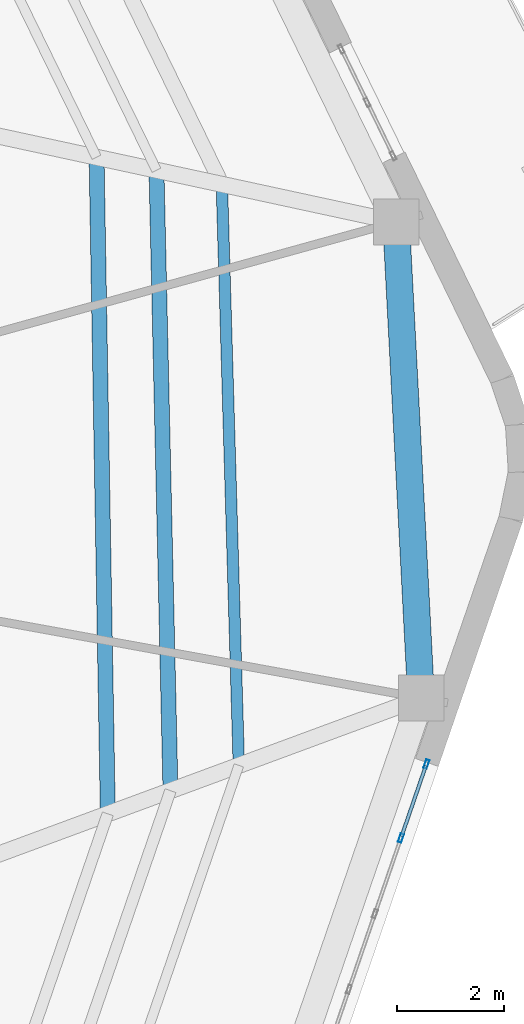
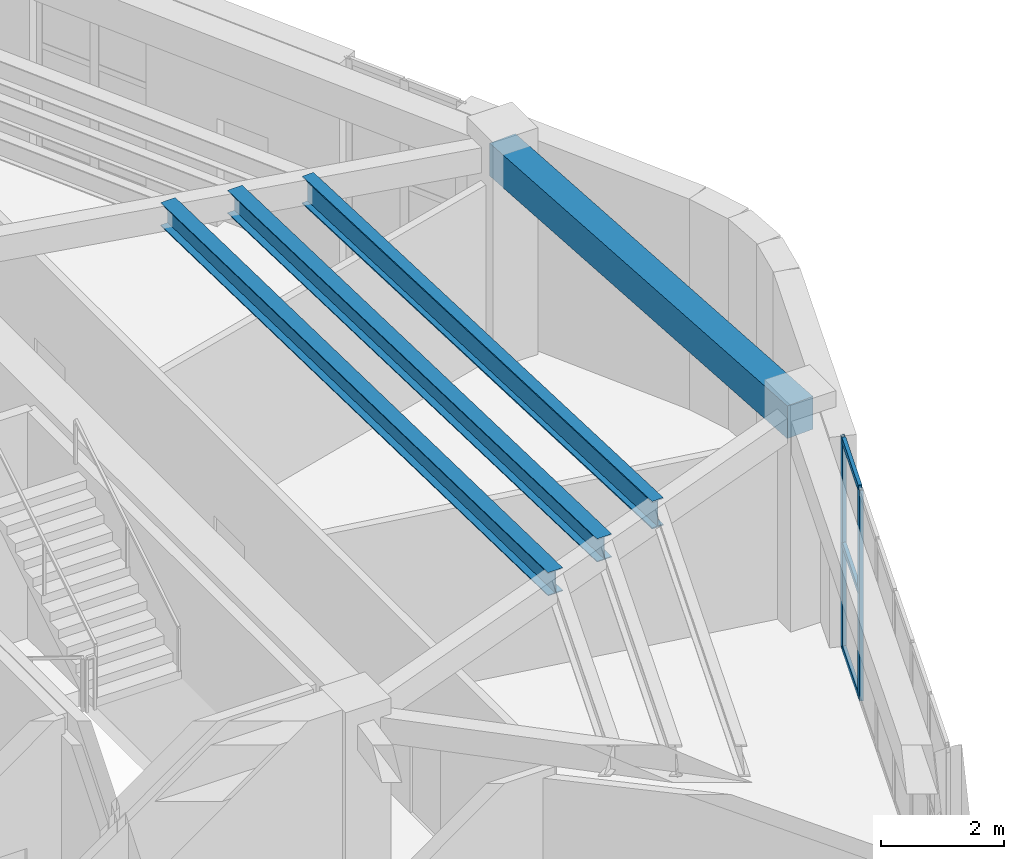
# One storey, part 5 of 15: 5 members, 4 beams, 1 element without a shape of its own.
"""IFC4 building model written with IfcOpenShell, lengths in metres."""

from ifc_helpers import new_model, si_unit, direction, frame, origin, origin_2d, place, context, subcontext, project, spatial, rectangle, hollow_rectangle, i_section, extrude, material, layer, layer_set, material_profile, profile_set, type_object, element, aggregate, save


model = new_model("IFC4")

# Units and contexts
model_context = context("Model", 3, precision=1e-05, world=origin(), true_north=direction((0.0, 1.0)))
body_context = subcontext(model_context, "Body", "Model", "MODEL_VIEW")
ifc_project = project(units=[si_unit("LENGTHUNIT", "METRE"), si_unit("AREAUNIT", "SQUARE_METRE"), si_unit("VOLUMEUNIT", "CUBIC_METRE"), si_unit("PLANEANGLEUNIT", "RADIAN"), si_unit("MASSUNIT", "GRAM", prefix="KILO")], contexts=[model_context])

# Site, building, storey
site_placement = place(None, origin())
site = spatial("IfcSite", under=ifc_project, at=site_placement, CompositionType="ELEMENT")
building_placement = place(site_placement, origin())
building = spatial("IfcBuilding", under=site, at=building_placement, Name="Kilnhurst Terrace Hotel", CompositionType="ELEMENT")
storey_placement = place(building_placement, frame((0.0, 0.0, 288.60009765625)))
storey = spatial("IfcBuildingStorey", under=building, at=storey_placement, Name="L72", CompositionType="ELEMENT", Elevation=288.60009765625)

# Beams
ifc_material_1 = material(Name="Concrete C50/60", Category="concrete")
ifc_material_profile_1 = material_profile(ifc_material_1, rectangle(XDim=0.5, YDim=0.64990234375, at=origin_2d()), Name="RC500X650")
ifc_profile_set_1 = profile_set([ifc_material_profile_1], Name="Concrete C50/60")
beam_type_1 = type_object("IfcBeamType", Name="BM-SPN-500X650", PredefinedType="SPANDREL", material=ifc_profile_set_1)
beam_1_placement = place(storey_placement, frame((19.6240234375, -3.573974609375, 3.85498046875), z_axis=(-0.052419034962, 0.998625177318, 0.0), x_axis=(-0.998625177318, -0.052419034962, 0.0)))
element("IfcBeam", 1, at=beam_1_placement, inside=storey, type_object=beam_type_1, Name="L72 Perimeter Spandrel Beam 4", PredefinedType="SPANDREL", context=body_context, shape_type="SweptSolid", body=[
    extrude(rectangle(XDim=0.5, YDim=0.64990234375, at=origin_2d()), origin(), (0.0, 0.0, 1.0), 8.89111328125),
])
ifc_material_2 = material(Name="Steel ASTM A992 Grade 50", Category="steel")
ifc_material_profile_2 = material_profile(ifc_material_2, i_section(OverallWidth=0.279296875, OverallDepth=0.462890625, WebThickness=0.0107421875, FlangeThickness=0.017333984375, at=origin_2d()), Name="W18X76")
ifc_profile_set_2 = profile_set([ifc_material_profile_2], Name="Steel ASTM A992 Grade 50")
beam_type_2 = type_object("IfcBeamType", Name="JST-STL-W18X76", PredefinedType="JOIST", material=ifc_profile_set_2)
beam_2_placement = place(storey_placement, frame((13.78076171875, -5.7333984375, 3.947998046875), z_axis=(-0.01712337129, 0.99985338433, 0.0), x_axis=(-0.99985338433, -0.01712337129, 0.0)))
element("IfcBeam", 2, at=beam_2_placement, inside=storey, type_object=beam_type_2, Name="L72 Secondary Floor Steel Joist IN.4", PredefinedType="JOIST", context=body_context, shape_type="SweptSolid", body=[
    extrude(i_section(OverallWidth=0.279296875, OverallDepth=0.462890625, WebThickness=0.0107421875, FlangeThickness=0.017333984375, at=origin_2d()), origin(), (0.0, 0.0, 1.0), 12.247314453125),
])
beam_3_placement = place(storey_placement, frame((14.949462890625, -5.301513671875, 3.947998046875), z_axis=(-0.022547009345, 0.999745783872, 0.0), x_axis=(-0.999745783872, -0.022547009345, 0.0)))
element("IfcBeam", 3, at=beam_3_placement, inside=storey, type_object=beam_type_2, Name="L72 Secondary Floor Steel Joist MID.4", PredefinedType="JOIST", context=body_context, shape_type="SweptSolid", body=[
    extrude(i_section(OverallWidth=0.279296875, OverallDepth=0.462890625, WebThickness=0.0107421875, FlangeThickness=0.017333984375, at=origin_2d()), origin(), (0.0, 0.0, 1.0), 11.5751953125),
])
ifc_material_profile_3 = material_profile(ifc_material_2, i_section(OverallWidth=0.2138671875, OverallDepth=0.549072265625, WebThickness=0.0146484375, FlangeThickness=0.023681640625, at=origin_2d()), Name="W21X93")
ifc_profile_set_3 = profile_set([ifc_material_profile_3], Name="Steel ASTM A992 Grade 50")
beam_type_3 = type_object("IfcBeamType", Name="JST-STL-W21X93", PredefinedType="JOIST", material=ifc_profile_set_3)
beam_4_placement = place(storey_placement, frame((16.224365234375, -4.830322265625, 3.90478515625), z_axis=(-0.029227669324, 0.999572780415, 0.0), x_axis=(-0.999572780415, -0.029227669324, 0.0)))
element("IfcBeam", 4, at=beam_4_placement, inside=storey, type_object=beam_type_3, Name="L72 Secondary Floor Steel Joist OUT.4", PredefinedType="JOIST", context=body_context, shape_type="SweptSolid", body=[
    extrude(i_section(OverallWidth=0.2138671875, OverallDepth=0.549072265625, WebThickness=0.0146484375, FlangeThickness=0.023681640625, at=origin_2d()), origin(), (0.0, 0.0, 1.0), 10.84228515625),
])

# Curtain wall, members
ifc_material_3 = material(Name="Anodized Aluminium Alloy 6063-T6 and Low-E Glass", Category="aluminium")
ifc_layer = layer(ifc_material_3, 0.219970703125, Name="Anodized Aluminium Alloy 6063-T6 and Low-E Glass")
ifc_layer_set = layer_set([ifc_layer], Name="Anodized Aluminium Alloy 6063-T6 and Low-E Glass")
curtain_wall_type = type_object("IfcCurtainWallType", Name="CW-PORTAL-L72", PredefinedType="NOTDEFINED", material=ifc_layer_set)
curtain_wall_placement = place(storey_placement, origin())
curtain_wall = element("IfcCurtainWall", 5, at=curtain_wall_placement, inside=storey, type_object=curtain_wall_type, Name="L72 Curtain Wall CW-L72-F2-1", PredefinedType="NOTDEFINED")
ifc_material_4 = material(Name="Extruded Aluminium Alloy 6063-T6", Category="aluminium")
ifc_material_profile_4 = material_profile(ifc_material_4, hollow_rectangle(XDim=0.06494140625, YDim=0.1650390625, WallThickness=0.00341796875, at=origin_2d()), Name="CWM65X165")
ifc_profile_set_4 = profile_set([ifc_material_profile_4], Name="Extruded Aluminium Alloy 6063-T6")
member_type_1 = type_object("IfcMemberType", Name="MEM-CWM65X165", PredefinedType="MULLION", material=ifc_profile_set_4)
member_1_placement = place(storey_placement, frame((19.248779296875, -6.1865234375, 0.0), z_axis=(0.0, 0.0, 1.0), x_axis=(-0.945577644137, 0.325396556387, 0.0)))
member_1 = element("IfcMember", 6, at=member_1_placement, type_object=member_type_1, Name="CWP-5 mullion 6", PredefinedType="MULLION", context=body_context, shape_type="SweptSolid", body=[
    extrude(hollow_rectangle(XDim=0.06494140625, YDim=0.1650390625, WallThickness=0.00341796875, at=origin_2d()), origin(), (0.0, 0.0, 1.0), 4.179931640625),
])
member_2_placement = place(storey_placement, frame((19.723876953125, -4.80615234375, 0.0), z_axis=(0.0, 0.0, 1.0), x_axis=(-0.945577644137, 0.325396556387, 0.0)))
member_2 = element("IfcMember", 7, at=member_2_placement, type_object=member_type_1, Name="CWP-5 mullion 7", PredefinedType="MULLION", context=body_context, shape_type="SweptSolid", body=[
    extrude(hollow_rectangle(XDim=0.06494140625, YDim=0.1650390625, WallThickness=0.00341796875, at=origin_2d()), origin(), (0.0, 0.0, 1.0), 4.179931640625),
])
ifc_material_profile_5 = material_profile(ifc_material_4, hollow_rectangle(XDim=0.06494140625, YDim=0.1201171875, WallThickness=0.00341796875, at=origin_2d()), Name="CWT65X120")
ifc_profile_set_5 = profile_set([ifc_material_profile_5], Name="Extruded Aluminium Alloy 6063-T6")
member_type_2 = type_object("IfcMemberType", Name="MEM-CWT65X120", PredefinedType="USERDEFINED", material=ifc_profile_set_5)
member_3_placement = place(storey_placement, frame((19.25927734375, -6.15576171875, 0.032470703125), z_axis=(0.325402621342, 0.945575557015, 0.0), x_axis=(-0.945575557015, 0.325402621342, 0.0)))
member_3 = element("IfcMember", 8, at=member_3_placement, type_object=member_type_2, Name="CWP-5 transom 6.1", ObjectType="TRANSOM", PredefinedType="USERDEFINED", context=body_context, shape_type="SweptSolid", body=[
    extrude(hollow_rectangle(XDim=0.06494140625, YDim=0.1201171875, WallThickness=0.00341796875, at=origin_2d()), origin(), (0.0, 0.0, 1.0), 1.394775390625),
])
member_4_placement = place(storey_placement, frame((19.25927734375, -6.15576171875, 2.08984375), z_axis=(0.325402621342, 0.945575557015, 0.0), x_axis=(-0.945575557015, 0.325402621342, 0.0)))
member_4 = element("IfcMember", 9, at=member_4_placement, type_object=member_type_2, Name="CWP-5 transom 6.2", ObjectType="TRANSOM", PredefinedType="USERDEFINED", context=body_context, shape_type="SweptSolid", body=[
    extrude(hollow_rectangle(XDim=0.06494140625, YDim=0.1201171875, WallThickness=0.00341796875, at=origin_2d()), origin(), (0.0, 0.0, 1.0), 1.394775390625),
])
member_5_placement = place(storey_placement, frame((19.25927734375, -6.15576171875, 4.1474609375), z_axis=(0.325402621342, 0.945575557015, 0.0), x_axis=(-0.945575557015, 0.325402621342, 0.0)))
member_5 = element("IfcMember", 10, at=member_5_placement, type_object=member_type_2, Name="CWP-5 transom 6.3", ObjectType="TRANSOM", PredefinedType="USERDEFINED", context=body_context, shape_type="SweptSolid", body=[
    extrude(hollow_rectangle(XDim=0.06494140625, YDim=0.1201171875, WallThickness=0.00341796875, at=origin_2d()), origin(), (0.0, 0.0, 1.0), 1.394775390625),
])
aggregate(curtain_wall, [member_1, member_2, member_3, member_4, member_5])

save(model, "model.ifc")
